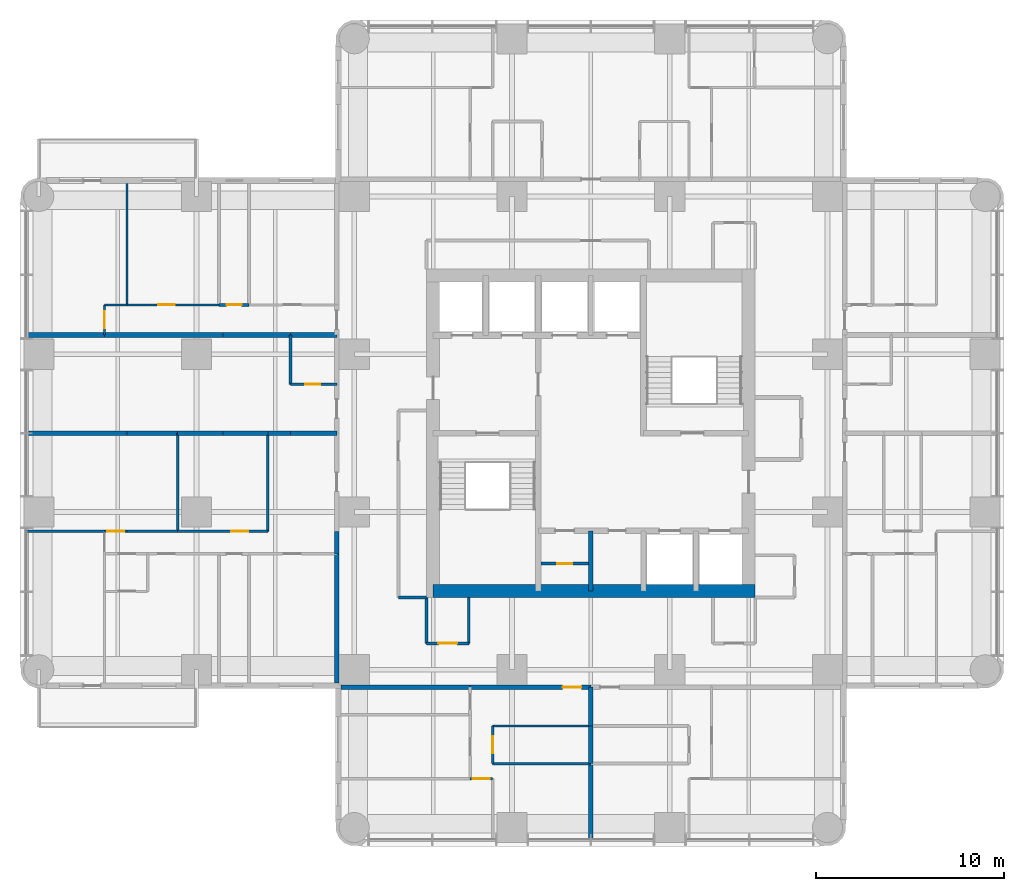
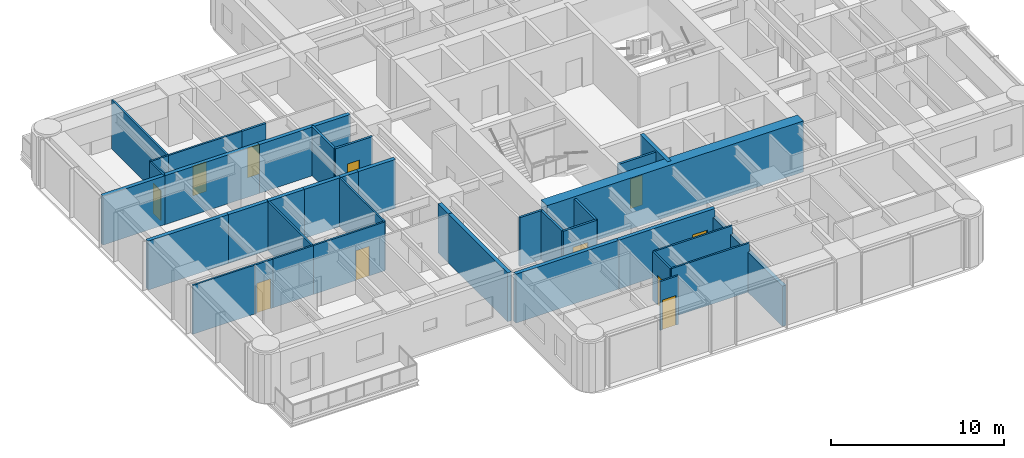
# One storey, part 5 of 11: 41 walls, 11 doors, 11 openings.
"""IFC4 building model written with IfcOpenShell, lengths in metres."""

from ifc_helpers import new_model, si_unit, direction, frame, frame_2d, origin, place, context, subcontext, project, spatial, rectangle, extrude, material, layer, layer_set, type_object, element, fill, save


model = new_model("IFC4")

# Units and contexts
model_context = context("Model", 3, precision=1e-05, world=origin(), true_north=direction((0.0, 1.0)))
body_context = subcontext(model_context, "Body", "Model", "MODEL_VIEW")
ifc_project = project(units=[si_unit("LENGTHUNIT", "METRE"), si_unit("AREAUNIT", "SQUARE_METRE"), si_unit("VOLUMEUNIT", "CUBIC_METRE"), si_unit("PLANEANGLEUNIT", "RADIAN"), si_unit("MASSUNIT", "GRAM", prefix="KILO")], contexts=[model_context])

# Site, building, storey
site_placement = place(None, origin())
site = spatial("IfcSite", under=ifc_project, at=site_placement, CompositionType="ELEMENT")
building_placement = place(site_placement, origin())
building = spatial("IfcBuilding", under=site, at=building_placement, Name="Torre Alcanfor", CompositionType="ELEMENT")
storey_placement = place(building_placement, frame((0.0, 0.0, 240.89990234375)))
storey = spatial("IfcBuildingStorey", under=building, at=storey_placement, Name="L63", CompositionType="ELEMENT", Elevation=240.89990234375)

# Wall, opening, door
ifc_material_1 = material(Name="Concrete block masonry, hollow blocks NMX-C-404 9 MPa", Category="masonry")
ifc_layer_1 = layer(ifc_material_1, 0.25)
ifc_layer_set_1 = layer_set([ifc_layer_1], Name="Apartment entrance wall 250 EI 60")
wall_type_1 = type_object("IfcWallType", Name="Apartment entrance wall 250 EI 60", PredefinedType="PARTITIONING", material=ifc_layer_set_1)
wall_1_placement = place(storey_placement, frame((29.39990234375, 15.875, 0.0), z_axis=(0.0, 0.0, 1.0), x_axis=(-1.0, 0.0, 0.0)))
wall_1 = element("IfcWall", 1, at=wall_1_placement, inside=storey, type_object=wall_type_1, Name="Partition L63-CORR / L63-S2-LIVING", PredefinedType="PARTITIONING", context=body_context, shape_type="SweptSolid", body=[
    extrude(rectangle(XDim=6.428955078125, YDim=0.25, at=frame_2d((3.21435546875, 0.0))), origin(), (0.0, 0.0, 1.0), 3.4501953125),
])
opening_1_placement = place(wall_1_placement, frame((0.5, 0.0, 0.0)))
opening_1 = element("IfcOpeningElement", 2, at=opening_1_placement, cuts=wall_1, Name="Opening D-A1", PredefinedType="OPENING", context=body_context, shape_type="SweptSolid", body=[
    extrude(rectangle(XDim=1.0, YDim=2.10009765625, at=frame_2d((0.5, 1.050048828125))), frame((0.0, 0.135009765625, 0.0), z_axis=(0.0, -1.0, 0.0), x_axis=(1.0, 0.0, 0.0)), (0.0, 0.0, 1.0), 0.27001953125),
])
ifc_material_2 = material(Name="Galvanised steel sheet ASTM A653", Category="steel")
door_type_1 = type_object("IfcDoorType", Name="Apartment entrance door FD60 1000x2100", OperationType="SINGLE_SWING_LEFT", PredefinedType="DOOR", material=ifc_material_2)
door_1_placement = place(opening_1_placement, origin())
door_1 = element("IfcDoor", 3, at=door_1_placement, inside=storey, type_object=door_type_1, Name="Apartment entrance L63-S2", OperationType="SINGLE_SWING_LEFT", OverallHeight=2.10009765625, OverallWidth=1.0, PredefinedType="DOOR", context=body_context, shape_type="SweptSolid", body=[
    extrude(rectangle(XDim=1.0, YDim=2.10009765625, at=frame_2d((0.5, 1.050048828125))), frame((0.0, 0.02490234375, 0.0), z_axis=(0.0, -1.0, 0.0), x_axis=(1.0, 0.0, 0.0)), (0.0, 0.0, 1.0), 0.050048828125),
])
fill(opening_1, door_1)

# Walls
wall_2_placement = place(storey_placement, frame((22.970947265625, 15.875, 0.0), z_axis=(0.0, 0.0, 1.0), x_axis=(-1.0, 0.0, 0.0)))
element("IfcWall", 4, at=wall_2_placement, inside=storey, type_object=wall_type_1, Name="Partition L63-CORR / L63-S2-BATH", PredefinedType="PARTITIONING", context=body_context, shape_type="SweptSolid", body=[
    extrude(rectangle(XDim=6.870849609375, YDim=0.25, at=frame_2d((3.435546875, 0.0))), origin(), (0.0, 0.0, 1.0), 3.4501953125),
])
wall_3_placement = place(storey_placement, frame((15.875, 22.970947265625, 0.0), z_axis=(0.0, 0.0, 1.0), x_axis=(0.0, 1.0, 0.0)))
element("IfcWall", 5, at=wall_3_placement, inside=storey, type_object=wall_type_1, Name="Partition L63-CORR / L63-W1-HALL", PredefinedType="PARTITIONING", context=body_context, shape_type="SweptSolid", body=[
    extrude(rectangle(XDim=1.199951171875, YDim=0.25, at=frame_2d((0.60009765625, 0.0))), origin(), (0.0, 0.0, 1.0), 3.4501953125),
])
wall_4_placement = place(storey_placement, frame((15.875, 16.10009765625, 0.0), z_axis=(0.0, 0.0, 1.0), x_axis=(0.0, 1.0, 0.0)))
element("IfcWall", 6, at=wall_4_placement, inside=storey, type_object=wall_type_1, Name="Partition L63-CORR / L63-W1-BED2", PredefinedType="PARTITIONING", context=body_context, shape_type="SweptSolid", body=[
    extrude(rectangle(XDim=6.870849609375, YDim=0.25, at=frame_2d((3.435546875, 0.0))), origin(), (0.0, 0.0, 1.0), 3.4501953125),
])
ifc_material_3 = material(Name="Gypsum board on steel studs", Category="steel")
ifc_layer_2 = layer(ifc_material_3, 0.1201171875)
ifc_layer_set_2 = layer_set([ifc_layer_2], Name="Apartment partition 120")
wall_type_2 = type_object("IfcWallType", Name="Apartment partition 120", PredefinedType="PARTITIONING", material=ifc_layer_set_2)
wall_5_placement = place(storey_placement, frame((29.39990234375, 11.800048828125, 0.0), z_axis=(0.0, 0.0, 1.0), x_axis=(-1.0, 0.0, 0.0)))
element("IfcWall", 7, at=wall_5_placement, inside=storey, type_object=wall_type_2, Name="Partition L63-S2-KITCHEN / L63-S2-LIVING", PredefinedType="PARTITIONING", context=body_context, shape_type="SweptSolid", body=[
    extrude(rectangle(XDim=5.22900390625, YDim=0.1201171875, at=frame_2d((2.614501953125, 0.0))), origin(), (0.0, 0.0, 1.0), 3.4501953125),
])

# Wall, opening, door
wall_6_placement = place(storey_placement, frame((24.1708984375, 11.800048828125, 0.0), z_axis=(0.0, 0.0, 1.0), x_axis=(0.0, 1.0, 0.0)))
wall_6 = element("IfcWall", 8, at=wall_6_placement, inside=storey, type_object=wall_type_2, Name="Partition L63-S2-KITCHEN / L63-S2-LIVING", PredefinedType="PARTITIONING", context=body_context, shape_type="SweptSolid", body=[
    extrude(rectangle(XDim=2.0, YDim=0.1201171875, at=frame_2d((1.0, 0.0))), origin(), (0.0, 0.0, 1.0), 3.4501953125),
])
opening_2_placement = place(wall_6_placement, frame((0.550048828125, 0.0, 0.0)))
opening_2 = element("IfcOpeningElement", 9, at=opening_2_placement, cuts=wall_6, Name="Opening D-R1", PredefinedType="OPENING", context=body_context, shape_type="SweptSolid", body=[
    extrude(rectangle(XDim=0.89990234375, YDim=2.10009765625, at=frame_2d((0.449951171875, 1.050048828125))), frame((0.0, 0.070068359375, 0.0), z_axis=(0.0, -1.0, 0.0), x_axis=(1.0, 0.0, 0.0)), (0.0, 0.0, 1.0), 0.14013671875),
])
ifc_material_4 = material(Name="Timber", Category="wood")
door_type_2 = type_object("IfcDoorType", Name="Internal door 900x2100", OperationType="SINGLE_SWING_LEFT", PredefinedType="DOOR", material=ifc_material_4)
door_2_placement = place(opening_2_placement, frame((0.89990234375, 0.0, 0.0), z_axis=(0.0, 0.0, 1.0), x_axis=(-1.0, 0.0, 0.0)))
door_2 = element("IfcDoor", 10, at=door_2_placement, inside=storey, type_object=door_type_2, Name="Door L63-S2 kitchen", OperationType="SINGLE_SWING_RIGHT", OverallHeight=2.10009765625, OverallWidth=0.89990234375, PredefinedType="DOOR", context=body_context, shape_type="SweptSolid", body=[
    extrude(rectangle(XDim=0.89990234375, YDim=2.10009765625, at=frame_2d((0.449951171875, 1.050048828125))), frame((0.0, 0.025146484375, 0.0), z_axis=(0.0, -1.0, 0.0), x_axis=(1.0, 0.0, 0.0)), (0.0, 0.0, 1.0), 0.050048828125),
])
fill(opening_2, door_2)

# Wall
wall_7_placement = place(storey_placement, frame((24.1708984375, 13.800048828125, 0.0), z_axis=(0.0, 0.0, 1.0), x_axis=(1.0, 0.0, 0.0)))
element("IfcWall", 11, at=wall_7_placement, inside=storey, type_object=wall_type_2, Name="Partition L63-S2-KITCHEN / L63-S2-LIVING", PredefinedType="PARTITIONING", context=body_context, shape_type="SweptSolid", body=[
    extrude(rectangle(XDim=5.22900390625, YDim=0.1201171875, at=frame_2d((2.614501953125, 0.0))), origin(), (0.0, 0.0, 1.0), 3.4501953125),
])

# Wall, opening, door
wall_8_placement = place(storey_placement, frame((24.1708984375, 11.0, 0.0), z_axis=(0.0, 0.0, 1.0), x_axis=(-1.0, 0.0, 0.0)))
wall_8 = element("IfcWall", 12, at=wall_8_placement, inside=storey, type_object=wall_type_2, Name="Partition L63-S2-LIVING / L63-S2-MASTER", PredefinedType="PARTITIONING", context=body_context, shape_type="SweptSolid", body=[
    extrude(rectangle(XDim=1.199951171875, YDim=0.1201171875, at=frame_2d((0.60009765625, 0.0))), origin(), (0.0, 0.0, 1.0), 3.4501953125),
])
opening_3_placement = place(wall_8_placement, frame((0.15087890625, 0.0, 0.0)))
opening_3 = element("IfcOpeningElement", 13, at=opening_3_placement, cuts=wall_8, Name="Opening D-R1", PredefinedType="OPENING", context=body_context, shape_type="SweptSolid", body=[
    extrude(rectangle(XDim=0.89990234375, YDim=2.10009765625, at=frame_2d((0.449951171875, 1.050048828125))), frame((0.0, 0.070068359375, 0.0), z_axis=(0.0, -1.0, 0.0), x_axis=(1.0, 0.0, 0.0)), (0.0, 0.0, 1.0), 0.14013671875),
])
door_3_placement = place(opening_3_placement, origin())
door_3 = element("IfcDoor", 14, at=door_3_placement, inside=storey, type_object=door_type_2, Name="Door L63-S2 master", OperationType="SINGLE_SWING_LEFT", OverallHeight=2.10009765625, OverallWidth=0.89990234375, PredefinedType="DOOR", context=body_context, shape_type="SweptSolid", body=[
    extrude(rectangle(XDim=0.89990234375, YDim=2.10009765625, at=frame_2d((0.449951171875, 1.050048828125))), frame((0.0, 0.02490234375, 0.0), z_axis=(0.0, -1.0, 0.0), x_axis=(1.0, 0.0, 0.0)), (0.0, 0.0, 1.0), 0.050048828125),
])
fill(opening_3, door_3)

# Walls
for number, where, z_axis, x_axis, name in (
    (15, (12.199951171875, 29.39990234375, 0.0), (0.0, 0.0, 1.0), (0.0, -1.0, 0.0), "Partition L63-W1-ZAG / L63-W1-FAMILY"),
    (16, (7.39990234375, 29.39990234375, 0.0), (0.0, 0.0, 1.0), (0.0, -1.0, 0.0), "Partition L63-W1-FAMILY / L63-W1-KITCHEN"),
):
    element("IfcWall", number, at=place(storey_placement, frame(where, z_axis=z_axis, x_axis=x_axis)), inside=storey, type_object=wall_type_2, Name=name, PredefinedType="PARTITIONING", context=body_context, shape_type="SweptSolid", body=[
        extrude(rectangle(XDim=5.22900390625, YDim=0.1201171875, at=frame_2d((2.614501953125, 0.0))), origin(), (0.0, 0.0, 1.0), 3.4501953125),
    ])

# Wall, opening, door
wall_9_placement = place(storey_placement, frame((7.39990234375, 24.1708984375, 0.0), z_axis=(0.0, 0.0, 1.0), x_axis=(1.0, 0.0, 0.0)))
wall_9 = element("IfcWall", 17, at=wall_9_placement, inside=storey, type_object=wall_type_2, Name="Partition L63-W1-FAMILY / L63-W1-HALL", PredefinedType="PARTITIONING", context=body_context, shape_type="SweptSolid", body=[
    extrude(rectangle(XDim=4.800048828125, YDim=0.1201171875, at=frame_2d((2.39990234375, 0.0))), origin(), (0.0, 0.0, 1.0), 3.4501953125),
])
opening_4_placement = place(wall_9_placement, frame((2.85009765625, 0.0, 0.0)))
opening_4 = element("IfcOpeningElement", 18, at=opening_4_placement, cuts=wall_9, Name="Opening D-R1", PredefinedType="OPENING", context=body_context, shape_type="SweptSolid", body=[
    extrude(rectangle(XDim=0.89990234375, YDim=2.10009765625, at=frame_2d((0.449951171875, 1.050048828125))), frame((0.0, 0.070068359375, 0.0), z_axis=(0.0, -1.0, 0.0), x_axis=(1.0, 0.0, 0.0)), (0.0, 0.0, 1.0), 0.14013671875),
])
door_4_placement = place(opening_4_placement, origin())
door_4 = element("IfcDoor", 19, at=door_4_placement, inside=storey, type_object=door_type_2, Name="Door L63-W1 family", OperationType="SINGLE_SWING_RIGHT", OverallHeight=2.10009765625, OverallWidth=0.89990234375, PredefinedType="DOOR", context=body_context, shape_type="SweptSolid", body=[
    extrude(rectangle(XDim=0.89990234375, YDim=2.10009765625, at=frame_2d((0.449951171875, 1.050048828125))), frame((0.0, 0.02490234375, 0.0), z_axis=(0.0, -1.0, 0.0), x_axis=(1.0, 0.0, 0.0)), (0.0, 0.0, 1.0), 0.050048828125),
])
fill(opening_4, door_4)

# Wall
wall_10_placement = place(storey_placement, frame((4.699951171875, 24.1708984375, 0.0), z_axis=(0.0, 0.0, 1.0), x_axis=(1.0, 0.0, 0.0)))
element("IfcWall", 20, at=wall_10_placement, inside=storey, type_object=wall_type_2, Name="Partition L63-W1-KITCHEN / L63-W1-HALL", PredefinedType="PARTITIONING", context=body_context, shape_type="SweptSolid", body=[
    extrude(rectangle(XDim=2.699951171875, YDim=0.1201171875, at=frame_2d((1.35009765625, 0.0))), origin(), (0.0, 0.0, 1.0), 3.4501953125),
])

# Wall, opening, door
wall_11_placement = place(storey_placement, frame((3.5, 24.1708984375, 0.0), z_axis=(0.0, 0.0, 1.0), x_axis=(1.0, 0.0, 0.0)))
wall_11 = element("IfcWall", 21, at=wall_11_placement, inside=storey, type_object=wall_type_2, Name="Partition L63-W1-LIVING / L63-W1-HALL", PredefinedType="PARTITIONING", context=body_context, shape_type="SweptSolid", body=[
    extrude(rectangle(XDim=1.199951171875, YDim=0.1201171875, at=frame_2d((0.60009765625, 0.0))), origin(), (0.0, 0.0, 1.0), 3.4501953125),
])
opening_5_placement = place(wall_11_placement, frame((0.14990234375, 0.0, 0.0)))
opening_5 = element("IfcOpeningElement", 22, at=opening_5_placement, cuts=wall_11, Name="Opening D-R1", PredefinedType="OPENING", context=body_context, shape_type="SweptSolid", body=[
    extrude(rectangle(XDim=0.89990234375, YDim=2.10009765625, at=frame_2d((0.449951171875, 1.050048828125))), frame((0.0, 0.070068359375, 0.0), z_axis=(0.0, -1.0, 0.0), x_axis=(1.0, 0.0, 0.0)), (0.0, 0.0, 1.0), 0.14013671875),
])
door_5_placement = place(opening_5_placement, origin())
door_5 = element("IfcDoor", 23, at=door_5_placement, inside=storey, type_object=door_type_2, Name="Door L63-W1 living", OperationType="SINGLE_SWING_RIGHT", OverallHeight=2.10009765625, OverallWidth=0.89990234375, PredefinedType="DOOR", context=body_context, shape_type="SweptSolid", body=[
    extrude(rectangle(XDim=0.89990234375, YDim=2.10009765625, at=frame_2d((0.449951171875, 1.050048828125))), frame((0.0, 0.02490234375, 0.0), z_axis=(0.0, -1.0, 0.0), x_axis=(1.0, 0.0, 0.0)), (0.0, 0.0, 1.0), 0.050048828125),
])
fill(opening_5, door_5)

# Wall
wall_12_placement = place(storey_placement, frame((-0.64990234375, 24.1708984375, 0.0), z_axis=(0.0, 0.0, 1.0), x_axis=(1.0, 0.0, 0.0)))
element("IfcWall", 24, at=wall_12_placement, inside=storey, type_object=wall_type_2, Name="Partition L63-W1-LIVING / L63-W1-WGARD", PredefinedType="PARTITIONING", context=body_context, shape_type="SweptSolid", body=[
    extrude(rectangle(XDim=4.14990234375, YDim=0.1201171875, at=frame_2d((2.074951171875, 0.0))), origin(), (0.0, 0.0, 1.0), 3.4501953125),
])

# Wall, opening, door
wall_13_placement = place(storey_placement, frame((4.699951171875, 36.22900390625, 0.0), z_axis=(0.0, 0.0, 1.0), x_axis=(1.0, 0.0, 0.0)))
wall_13 = element("IfcWall", 25, at=wall_13_placement, inside=storey, type_object=wall_type_2, Name="Partition L63-W2B-HALL / L63-W2B-MASTER", PredefinedType="PARTITIONING", context=body_context, shape_type="SweptSolid", body=[
    extrude(rectangle(XDim=4.900146484375, YDim=0.1201171875, at=frame_2d((2.4501953125, 0.0))), origin(), (0.0, 0.0, 1.0), 3.4501953125),
])
opening_6_placement = place(wall_13_placement, frame((1.64990234375, 0.0, 0.0)))
opening_6 = element("IfcOpeningElement", 26, at=opening_6_placement, cuts=wall_13, Name="Opening D-R1", PredefinedType="OPENING", context=body_context, shape_type="SweptSolid", body=[
    extrude(rectangle(XDim=0.89990234375, YDim=2.10009765625, at=frame_2d((0.449951171875, 1.050048828125))), frame((0.0, 0.070068359375, 0.0), z_axis=(0.0, -1.0, 0.0), x_axis=(1.0, 0.0, 0.0)), (0.0, 0.0, 1.0), 0.14013671875),
])
door_6_placement = place(opening_6_placement, origin())
door_6 = element("IfcDoor", 27, at=door_6_placement, inside=storey, type_object=door_type_2, Name="Door L63-W2B master", OperationType="SINGLE_SWING_LEFT", OverallHeight=2.10009765625, OverallWidth=0.89990234375, PredefinedType="DOOR", context=body_context, shape_type="SweptSolid", body=[
    extrude(rectangle(XDim=0.89990234375, YDim=2.10009765625, at=frame_2d((0.449951171875, 1.050048828125))), frame((0.0, 0.02490234375, 0.0), z_axis=(0.0, -1.0, 0.0), x_axis=(1.0, 0.0, 0.0)), (0.0, 0.0, 1.0), 0.050048828125),
])
fill(opening_6, door_6)

# Wall
wall_14_placement = place(storey_placement, frame((3.5, 36.22900390625, 0.0), z_axis=(0.0, 0.0, 1.0), x_axis=(1.0, 0.0, 0.0)))
element("IfcWall", 28, at=wall_14_placement, inside=storey, type_object=wall_type_2, Name="Partition L63-W2B-HALL / L63-W2B-KITCHEN", PredefinedType="PARTITIONING", context=body_context, shape_type="SweptSolid", body=[
    extrude(rectangle(XDim=1.199951171875, YDim=0.1201171875, at=frame_2d((0.60009765625, 0.0))), origin(), (0.0, 0.0, 1.0), 3.4501953125),
])

# Wall, opening, door
wall_15_placement = place(storey_placement, frame((3.5, 34.62890625, 0.0), z_axis=(0.0, 0.0, 1.0), x_axis=(0.0, 1.0, 0.0)))
wall_15 = element("IfcWall", 29, at=wall_15_placement, inside=storey, type_object=wall_type_2, Name="Partition L63-W2B-HALL / L63-W2B-LIVING", PredefinedType="PARTITIONING", context=body_context, shape_type="SweptSolid", body=[
    extrude(rectangle(XDim=1.60009765625, YDim=0.1201171875, at=frame_2d((0.800048828125, 0.0))), origin(), (0.0, 0.0, 1.0), 3.4501953125),
])
opening_7_placement = place(wall_15_placement, frame((0.35009765625, 0.0, 0.0)))
opening_7 = element("IfcOpeningElement", 30, at=opening_7_placement, cuts=wall_15, Name="Opening D-R1", PredefinedType="OPENING", context=body_context, shape_type="SweptSolid", body=[
    extrude(rectangle(XDim=0.89990234375, YDim=2.10009765625, at=frame_2d((0.449951171875, 1.050048828125))), frame((0.0, 0.070068359375, 0.0), z_axis=(0.0, -1.0, 0.0), x_axis=(1.0, 0.0, 0.0)), (0.0, 0.0, 1.0), 0.14013671875),
])
door_7_placement = place(opening_7_placement, origin())
door_7 = element("IfcDoor", 31, at=door_7_placement, inside=storey, type_object=door_type_2, Name="Door L63-W2B living", OperationType="SINGLE_SWING_LEFT", OverallHeight=2.10009765625, OverallWidth=0.89990234375, PredefinedType="DOOR", context=body_context, shape_type="SweptSolid", body=[
    extrude(rectangle(XDim=0.89990234375, YDim=2.10009765625, at=frame_2d((0.449951171875, 1.050048828125))), frame((0.0, 0.02490234375, 0.0), z_axis=(0.0, -1.0, 0.0), x_axis=(1.0, 0.0, 0.0)), (0.0, 0.0, 1.0), 0.050048828125),
])
fill(opening_7, door_7)

# Walls
wall_16_placement = place(storey_placement, frame((4.699951171875, 36.22900390625, 0.0), z_axis=(0.0, 0.0, 1.0), x_axis=(0.0, 1.0, 0.0)))
element("IfcWall", 32, at=wall_16_placement, inside=storey, type_object=wall_type_2, Name="Partition L63-W2B-MASTER / L63-W2B-KITCHEN", PredefinedType="PARTITIONING", context=body_context, shape_type="SweptSolid", body=[
    extrude(rectangle(XDim=6.470947265625, YDim=0.1201171875, at=frame_2d((3.2353515625, 0.0))), origin(), (0.0, 0.0, 1.0), 3.4501953125),
])
ifc_material_5 = material(Name="Concrete f'c 70 MPa", Category="concrete")
ifc_layer_3 = layer(ifc_material_5, 0.25)
ifc_layer_set_3 = layer_set([ifc_layer_3], Name="Core shaft wall 250 f'c70")
wall_type_3 = type_object("IfcWallType", Name="Core shaft wall 250 f'c70", PredefinedType="SHEAR", material=ifc_layer_set_3)
wall_17_placement = place(storey_placement, frame((29.39990234375, 21.0, 0.0), z_axis=(0.0, 0.0, 1.0), x_axis=(0.0, 1.0, 0.0)))
element("IfcWall", 33, at=wall_17_placement, inside=storey, type_object=wall_type_3, Name="Core wall X294S L63", PredefinedType="SHEAR", context=body_context, shape_type="SweptSolid", body=[
    extrude(rectangle(XDim=3.199951171875, YDim=0.25, at=frame_2d((1.60009765625, 0.0))), origin(), (0.0, 0.0, 1.0), 3.60009765625),
])
ifc_material_6 = material(Name="Concrete f'c 70 MPa", Category="concrete")
ifc_layer_4 = layer(ifc_material_6, 0.699951171875)
ifc_layer_set_4 = layer_set([ifc_layer_4], Name="Core wall 700 f'c70")
wall_type_4 = type_object("IfcWallType", Name="Core wall 700 f'c70", PredefinedType="SHEAR", material=ifc_layer_set_4)
wall_18_placement = place(storey_placement, frame((21.0, 21.0, 0.0), z_axis=(0.0, 0.0, 1.0), x_axis=(1.0, 0.0, 0.0)))
element("IfcWall", 34, at=wall_18_placement, inside=storey, type_object=wall_type_4, Name="Core wall OUT-S L63", PredefinedType="SHEAR", context=body_context, shape_type="SweptSolid", body=[
    extrude(rectangle(XDim=17.14990234375, YDim=0.699951171875, at=frame_2d((8.574951171875, 0.0))), origin(), (0.0, 0.0, 1.0), 3.60009765625),
])
ifc_material_7 = material(Name="Concrete block masonry, hollow blocks NMX-C-404 9 MPa", Category="masonry")
ifc_layer_5 = layer(ifc_material_7, 0.25)
ifc_layer_set_5 = layer_set([ifc_layer_5], Name="Party wall 250 EI 60")
wall_type_5 = type_object("IfcWallType", Name="Party wall 250 EI 60", PredefinedType="PARTITIONING", material=ifc_layer_set_5)
wall_19_placement = place(storey_placement, frame((29.39990234375, 13.800048828125, 0.0), z_axis=(0.0, 0.0, 1.0), x_axis=(0.0, -1.0, 0.0)))
element("IfcWall", 35, at=wall_19_placement, inside=storey, type_object=wall_type_5, Name="Partition L63-S1-BATH / L63-S2-KITCHEN", PredefinedType="PARTITIONING", context=body_context, shape_type="SweptSolid", body=[
    extrude(rectangle(XDim=2.0, YDim=0.25, at=frame_2d((1.0, 0.0))), origin(), (0.0, 0.0, 1.0), 2.84814453125),
])
wall_20_placement = place(storey_placement, frame((29.39990234375, 7.75, 0.0), z_axis=(0.0, 0.0, 1.0), x_axis=(0.0, 1.0, 0.0)))
element("IfcWall", 36, at=wall_20_placement, inside=storey, type_object=wall_type_5, Name="Partition L63-S1-LIVING / L63-S2-LIVING", PredefinedType="PARTITIONING", context=body_context, shape_type="SweptSolid", body=[
    extrude(rectangle(XDim=4.050048828125, YDim=0.25, at=frame_2d((2.02490234375, 0.0))), origin(), (0.0, 0.0, 1.0), 2.84814453125),
])
wall_21_placement = place(storey_placement, frame((29.39990234375, 13.800048828125, 0.0), z_axis=(0.0, 0.0, 1.0), x_axis=(0.0, 1.0, 0.0)))
element("IfcWall", 37, at=wall_21_placement, inside=storey, type_object=wall_type_5, Name="Partition L63-S1-LIVING / L63-S2-LIVING", PredefinedType="PARTITIONING", context=body_context, shape_type="SweptSolid", body=[
    extrude(rectangle(XDim=2.074951171875, YDim=0.25, at=frame_2d((1.03759765625, 0.0))), origin(), (0.0, 0.0, 1.0), 2.84814453125),
])
wall_22_placement = place(storey_placement, frame((15.875, 29.39990234375, 0.0), z_axis=(0.0, 0.0, 1.0), x_axis=(-1.0, 0.0, 0.0)))
element("IfcWall", 38, at=wall_22_placement, inside=storey, type_object=wall_type_5, Name="Partition L63-W1-ZAG / L63-W2A-FOYER", PredefinedType="PARTITIONING", context=body_context, shape_type="SweptSolid", body=[
    extrude(rectangle(XDim=2.47509765625, YDim=0.25, at=frame_2d((1.237548828125, 0.0))), origin(), (0.0, 0.0, 1.0), 3.4501953125),
])
wall_23_placement = place(storey_placement, frame((13.39990234375, 29.39990234375, 0.0), z_axis=(0.0, 0.0, 1.0), x_axis=(-1.0, 0.0, 0.0)))
element("IfcWall", 39, at=wall_23_placement, inside=storey, type_object=wall_type_5, Name="Partition L63-W1-ZAG / L63-W2A-KITCHEN", PredefinedType="PARTITIONING", context=body_context, shape_type="SweptSolid", body=[
    extrude(rectangle(XDim=1.199951171875, YDim=0.25, at=frame_2d((0.60009765625, 0.0))), origin(), (0.0, 0.0, 1.0), 3.4501953125),
])
wall_24_placement = place(storey_placement, frame((12.199951171875, 29.39990234375, 0.0), z_axis=(0.0, 0.0, 1.0), x_axis=(-1.0, 0.0, 0.0)))
element("IfcWall", 40, at=wall_24_placement, inside=storey, type_object=wall_type_5, Name="Partition L63-W1-FAMILY / L63-W2A-KITCHEN", PredefinedType="PARTITIONING", context=body_context, shape_type="SweptSolid", body=[
    extrude(rectangle(XDim=2.39990234375, YDim=0.25, at=frame_2d((1.199951171875, 0.0))), origin(), (0.0, 0.0, 1.0), 3.4501953125),
])
wall_25_placement = place(storey_placement, frame((9.800048828125, 29.39990234375, 0.0), z_axis=(0.0, 0.0, 1.0), x_axis=(-1.0, 0.0, 0.0)))
element("IfcWall", 41, at=wall_25_placement, inside=storey, type_object=wall_type_5, Name="Partition L63-W1-FAMILY / L63-W2A-STUDIO", PredefinedType="PARTITIONING", context=body_context, shape_type="SweptSolid", body=[
    extrude(rectangle(XDim=2.400146484375, YDim=0.25, at=frame_2d((1.2001953125, 0.0))), origin(), (0.0, 0.0, 1.0), 3.4501953125),
])
wall_26_placement = place(storey_placement, frame((7.39990234375, 29.39990234375, 0.0), z_axis=(0.0, 0.0, 1.0), x_axis=(-1.0, 0.0, 0.0)))
element("IfcWall", 42, at=wall_26_placement, inside=storey, type_object=wall_type_5, Name="Partition L63-W1-KITCHEN / L63-W2A-STUDIO", PredefinedType="PARTITIONING", context=body_context, shape_type="SweptSolid", body=[
    extrude(rectangle(XDim=2.699951171875, YDim=0.25, at=frame_2d((1.35009765625, 0.0))), origin(), (0.0, 0.0, 1.0), 3.4501953125),
])
wall_27_placement = place(storey_placement, frame((4.699951171875, 29.39990234375, 0.0), z_axis=(0.0, 0.0, 1.0), x_axis=(-1.0, 0.0, 0.0)))
element("IfcWall", 43, at=wall_27_placement, inside=storey, type_object=wall_type_5, Name="Partition L63-W1-LIVING / L63-W2A-STUDIO", PredefinedType="PARTITIONING", context=body_context, shape_type="SweptSolid", body=[
    extrude(rectangle(XDim=5.349853515625, YDim=0.25, at=frame_2d((2.6748046875, 0.0))), origin(), (0.0, 0.0, 1.0), 3.4501953125),
])
wall_28_placement = place(storey_placement, frame((13.39990234375, 34.62890625, 0.0), z_axis=(0.0, 0.0, 1.0), x_axis=(1.0, 0.0, 0.0)))
element("IfcWall", 44, at=wall_28_placement, inside=storey, type_object=wall_type_5, Name="Partition L63-W2A-BATH / L63-W2B-HALL", PredefinedType="PARTITIONING", context=body_context, shape_type="SweptSolid", body=[
    extrude(rectangle(XDim=2.47509765625, YDim=0.25, at=frame_2d((1.237548828125, 0.0))), origin(), (0.0, 0.0, 1.0), 3.4501953125),
])
wall_29_placement = place(storey_placement, frame((9.800048828125, 34.62890625, 0.0), z_axis=(0.0, 0.0, 1.0), x_axis=(1.0, 0.0, 0.0)))
element("IfcWall", 45, at=wall_29_placement, inside=storey, type_object=wall_type_5, Name="Partition L63-W2A-KITCHEN / L63-W2B-HALL", PredefinedType="PARTITIONING", context=body_context, shape_type="SweptSolid", body=[
    extrude(rectangle(XDim=3.599853515625, YDim=0.25, at=frame_2d((1.7998046875, 0.0))), origin(), (0.0, 0.0, 1.0), 3.4501953125),
])
wall_30_placement = place(storey_placement, frame((3.5, 34.62890625, 0.0), z_axis=(0.0, 0.0, 1.0), x_axis=(1.0, 0.0, 0.0)))
element("IfcWall", 46, at=wall_30_placement, inside=storey, type_object=wall_type_5, Name="Partition L63-W2A-STUDIO / L63-W2B-HALL", PredefinedType="PARTITIONING", context=body_context, shape_type="SweptSolid", body=[
    extrude(rectangle(XDim=6.300048828125, YDim=0.25, at=frame_2d((3.14990234375, 0.0))), origin(), (0.0, 0.0, 1.0), 3.4501953125),
])
wall_31_placement = place(storey_placement, frame((-0.64990234375, 34.62890625, 0.0), z_axis=(0.0, 0.0, 1.0), x_axis=(1.0, 0.0, 0.0)))
element("IfcWall", 47, at=wall_31_placement, inside=storey, type_object=wall_type_5, Name="Partition L63-W2A-STUDIO / L63-W2B-LIVING", PredefinedType="PARTITIONING", context=body_context, shape_type="SweptSolid", body=[
    extrude(rectangle(XDim=4.14990234375, YDim=0.25, at=frame_2d((2.074951171875, 0.0))), origin(), (0.0, 0.0, 1.0), 3.4501953125),
])
ifc_material_8 = material(Name="Concrete block masonry, hollow blocks NMX-C-404 9 MPa", Category="masonry")
ifc_layer_6 = layer(ifc_material_8, 0.14990234375)
ifc_layer_set_6 = layer_set([ifc_layer_6], Name="Residents' room partition 150")
wall_type_6 = type_object("IfcWallType", Name="Residents' room partition 150", PredefinedType="PARTITIONING", material=ifc_layer_set_6)
wall_32_placement = place(storey_placement, frame((20.64990234375, 20.64990234375, 0.0), z_axis=(0.0, 0.0, 1.0), x_axis=(0.0, -1.0, 0.0)))
element("IfcWall", 48, at=wall_32_placement, inside=storey, type_object=wall_type_6, Name="Partition L63-CORR / L63-G05", PredefinedType="PARTITIONING", context=body_context, shape_type="SweptSolid", body=[
    extrude(rectangle(XDim=2.449951171875, YDim=0.14990234375, at=frame_2d((1.22509765625, 0.0))), origin(), (0.0, 0.0, 1.0), 3.4501953125),
])

# Wall, opening, door
wall_33_placement = place(storey_placement, frame((20.64990234375, 18.199951171875, 0.0), z_axis=(0.0, 0.0, 1.0), x_axis=(1.0, 0.0, 0.0)))
wall_33 = element("IfcWall", 49, at=wall_33_placement, inside=storey, type_object=wall_type_6, Name="Partition L63-CORR / L63-G05", PredefinedType="PARTITIONING", context=body_context, shape_type="SweptSolid", body=[
    extrude(rectangle(XDim=2.25, YDim=0.14990234375, at=frame_2d((1.125, 0.0))), origin(), (0.0, 0.0, 1.0), 3.4501953125),
])
opening_8_placement = place(wall_33_placement, frame((0.625, 0.0, 0.0)))
opening_8 = element("IfcOpeningElement", 50, at=opening_8_placement, cuts=wall_33, Name="Opening D-M1", PredefinedType="OPENING", context=body_context, shape_type="SweptSolid", body=[
    extrude(rectangle(XDim=1.0, YDim=2.10009765625, at=frame_2d((0.5, 1.050048828125))), frame((0.0, 0.0849609375, 0.0), z_axis=(0.0, -1.0, 0.0), x_axis=(1.0, 0.0, 0.0)), (0.0, 0.0, 1.0), 0.169921875),
])
ifc_material_9 = material(Name="Timber", Category="wood")
door_type_3 = type_object("IfcDoorType", Name="Residents' room door 1000x2100", OperationType="SINGLE_SWING_LEFT", PredefinedType="DOOR", material=ifc_material_9)
door_8_placement = place(opening_8_placement, origin())
door_8 = element("IfcDoor", 51, at=door_8_placement, inside=storey, type_object=door_type_3, Name="Door L63-G05 cleaners' store", OperationType="SINGLE_SWING_LEFT", OverallHeight=2.10009765625, OverallWidth=1.0, PredefinedType="DOOR", context=body_context, shape_type="SweptSolid", body=[
    extrude(rectangle(XDim=1.0, YDim=2.10009765625, at=frame_2d((0.5, 1.050048828125))), frame((0.0, 0.02490234375, 0.0), z_axis=(0.0, -1.0, 0.0), x_axis=(1.0, 0.0, 0.0)), (0.0, 0.0, 1.0), 0.050048828125),
])
fill(opening_8, door_8)

# Walls
wall_34_placement = place(storey_placement, frame((22.89990234375, 18.199951171875, 0.0), z_axis=(0.0, 0.0, 1.0), x_axis=(0.0, 1.0, 0.0)))
element("IfcWall", 52, at=wall_34_placement, inside=storey, type_object=wall_type_6, Name="Partition L63-CORR / L63-G05", PredefinedType="PARTITIONING", context=body_context, shape_type="SweptSolid", body=[
    extrude(rectangle(XDim=2.449951171875, YDim=0.14990234375, at=frame_2d((1.22509765625, 0.0))), origin(), (0.0, 0.0, 1.0), 3.4501953125),
])
wall_35_placement = place(storey_placement, frame((19.14990234375, 20.64990234375, 0.0), z_axis=(0.0, 0.0, 1.0), x_axis=(1.0, 0.0, 0.0)))
element("IfcWall", 53, at=wall_35_placement, inside=storey, type_object=wall_type_6, Name="Partition L63-CORR / L63-G07", PredefinedType="PARTITIONING", context=body_context, shape_type="SweptSolid", body=[
    extrude(rectangle(XDim=1.5, YDim=0.14990234375, at=frame_2d((0.75, 0.0))), origin(), (0.0, 0.0, 1.0), 3.4501953125),
])

# Wall, opening, door
wall_36_placement = place(storey_placement, frame((26.75, 22.449951171875, 0.0), z_axis=(0.0, 0.0, 1.0), x_axis=(1.0, 0.0, 0.0)))
wall_36 = element("IfcWall", 54, at=wall_36_placement, inside=storey, type_object=wall_type_6, Name="Partition L63-PA1R / L63-PA1C", PredefinedType="PARTITIONING", context=body_context, shape_type="SweptSolid", body=[
    extrude(rectangle(XDim=2.52490234375, YDim=0.14990234375, at=frame_2d((1.262451171875, 0.0))), origin(), (0.0, 0.0, 1.0), 3.4501953125),
])
opening_9_placement = place(wall_36_placement, frame((0.862548828125, 0.0, 0.0)))
opening_9 = element("IfcOpeningElement", 55, at=opening_9_placement, cuts=wall_36, Name="Opening D-R2", PredefinedType="OPENING", context=body_context, shape_type="SweptSolid", body=[
    extrude(rectangle(XDim=0.800048828125, YDim=2.10009765625, at=frame_2d((0.39990234375, 1.050048828125))), frame((0.0, 0.0849609375, 0.0), z_axis=(0.0, -1.0, 0.0), x_axis=(1.0, 0.0, 0.0)), (0.0, 0.0, 1.0), 0.169921875),
])
ifc_material_10 = material(Name="Timber", Category="wood")
door_type_4 = type_object("IfcDoorType", Name="Bathroom door 800x2100", OperationType="SINGLE_SWING_LEFT", PredefinedType="DOOR", material=ifc_material_10)
door_9_placement = place(opening_9_placement, frame((0.800048828125, 0.0, 0.0), z_axis=(0.0, 0.0, 1.0), x_axis=(-1.0, 0.0, 0.0)))
door_9 = element("IfcDoor", 56, at=door_9_placement, inside=storey, type_object=door_type_4, Name="Battery and UPS cupboard door L63", OperationType="SINGLE_SWING_RIGHT", OverallHeight=2.10009765625, OverallWidth=0.800048828125, PredefinedType="DOOR", context=body_context, shape_type="SweptSolid", body=[
    extrude(rectangle(XDim=0.800048828125, YDim=2.10009765625, at=frame_2d((0.400146484375, 1.050048828125))), frame((0.0, 0.025146484375, 0.0), z_axis=(0.0, -1.0, 0.0), x_axis=(1.0, 0.0, 0.0)), (0.0, 0.0, 1.0), 0.050048828125),
])
fill(opening_9, door_9)

ifc_material_11 = material(Name="Cement board on steel studs", Category="steel")
ifc_layer_7 = layer(ifc_material_11, 0.14990234375)
ifc_layer_set_7 = layer_set([ifc_layer_7], Name="Wet area partition 150")
wall_type_7 = type_object("IfcWallType", Name="Wet area partition 150", PredefinedType="PARTITIONING", material=ifc_layer_set_7)
wall_37_placement = place(storey_placement, frame((13.39990234375, 32.0, 0.0), z_axis=(0.0, 0.0, 1.0), x_axis=(1.0, 0.0, 0.0)))
wall_37 = element("IfcWall", 57, at=wall_37_placement, inside=storey, type_object=wall_type_7, Name="Partition L63-W2A-FOYER / L63-W2A-BATH", PredefinedType="PARTITIONING", context=body_context, shape_type="SweptSolid", body=[
    extrude(rectangle(XDim=2.47509765625, YDim=0.14990234375, at=frame_2d((1.237548828125, 0.0))), origin(), (0.0, 0.0, 1.0), 3.4501953125),
])
opening_10_placement = place(wall_37_placement, frame((0.800048828125, 0.0, 0.0)))
opening_10 = element("IfcOpeningElement", 58, at=opening_10_placement, cuts=wall_37, Name="Opening D-R2", PredefinedType="OPENING", context=body_context, shape_type="SweptSolid", body=[
    extrude(rectangle(XDim=0.800048828125, YDim=2.10009765625, at=frame_2d((0.39990234375, 1.050048828125))), frame((0.0, 0.0849609375, 0.0), z_axis=(0.0, -1.0, 0.0), x_axis=(1.0, 0.0, 0.0)), (0.0, 0.0, 1.0), 0.169921875),
])
door_10_placement = place(opening_10_placement, origin())
door_10 = element("IfcDoor", 59, at=door_10_placement, inside=storey, type_object=door_type_4, Name="Door L63-W2A bath", OperationType="SINGLE_SWING_LEFT", OverallHeight=2.10009765625, OverallWidth=0.800048828125, PredefinedType="DOOR", context=body_context, shape_type="SweptSolid", body=[
    extrude(rectangle(XDim=0.800048828125, YDim=2.10009765625, at=frame_2d((0.39990234375, 1.050048828125))), frame((0.0, 0.02490234375, 0.0), z_axis=(0.0, -1.0, 0.0), x_axis=(1.0, 0.0, 0.0)), (0.0, 0.0, 1.0), 0.050048828125),
])
fill(opening_10, door_10)

# Wall
wall_38_placement = place(storey_placement, frame((13.39990234375, 32.0, 0.0), z_axis=(0.0, 0.0, 1.0), x_axis=(0.0, 1.0, 0.0)))
element("IfcWall", 60, at=wall_38_placement, inside=storey, type_object=wall_type_7, Name="Partition L63-W2A-BATH / L63-W2A-KITCHEN", PredefinedType="PARTITIONING", context=body_context, shape_type="SweptSolid", body=[
    extrude(rectangle(XDim=2.62890625, YDim=0.14990234375, at=frame_2d((1.314453125, 0.0))), origin(), (0.0, 0.0, 1.0), 3.4501953125),
])

# Wall, opening, door
wall_39_placement = place(storey_placement, frame((9.60009765625, 36.22900390625, 0.0), z_axis=(0.0, 0.0, 1.0), x_axis=(1.0, 0.0, 0.0)))
wall_39 = element("IfcWall", 61, at=wall_39_placement, inside=storey, type_object=wall_type_7, Name="Partition L63-W2B-HALL / L63-W2B-BATH", PredefinedType="PARTITIONING", context=body_context, shape_type="SweptSolid", body=[
    extrude(rectangle(XDim=1.599853515625, YDim=0.14990234375, at=frame_2d((0.7998046875, 0.0))), origin(), (0.0, 0.0, 1.0), 3.4501953125),
])
opening_11_placement = place(wall_39_placement, frame((0.39990234375, 0.0, 0.0)))
opening_11 = element("IfcOpeningElement", 62, at=opening_11_placement, cuts=wall_39, Name="Opening D-R2", PredefinedType="OPENING", context=body_context, shape_type="SweptSolid", body=[
    extrude(rectangle(XDim=0.800048828125, YDim=2.10009765625, at=frame_2d((0.39990234375, 1.050048828125))), frame((0.0, 0.0849609375, 0.0), z_axis=(0.0, -1.0, 0.0), x_axis=(1.0, 0.0, 0.0)), (0.0, 0.0, 1.0), 0.169921875),
])
door_11_placement = place(opening_11_placement, origin())
door_11 = element("IfcDoor", 63, at=door_11_placement, inside=storey, type_object=door_type_4, Name="Door L63-W2B bath", OperationType="SINGLE_SWING_LEFT", OverallHeight=2.10009765625, OverallWidth=0.800048828125, PredefinedType="DOOR", context=body_context, shape_type="SweptSolid", body=[
    extrude(rectangle(XDim=0.800048828125, YDim=2.10009765625, at=frame_2d((0.39990234375, 1.050048828125))), frame((0.0, 0.02490234375, 0.0), z_axis=(0.0, -1.0, 0.0), x_axis=(1.0, 0.0, 0.0)), (0.0, 0.0, 1.0), 0.050048828125),
])
fill(opening_11, door_11)

save(model, "model.ifc")
